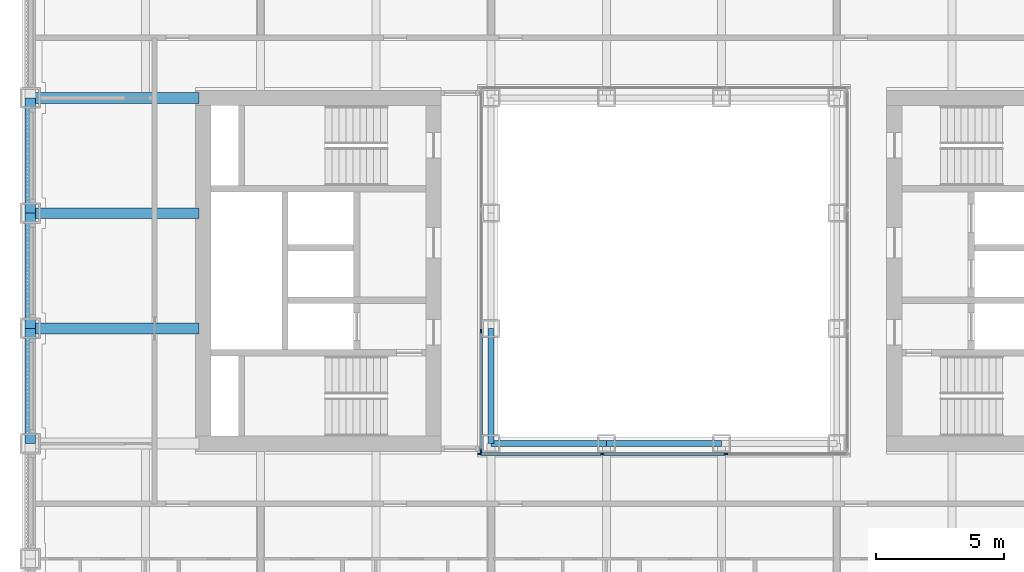
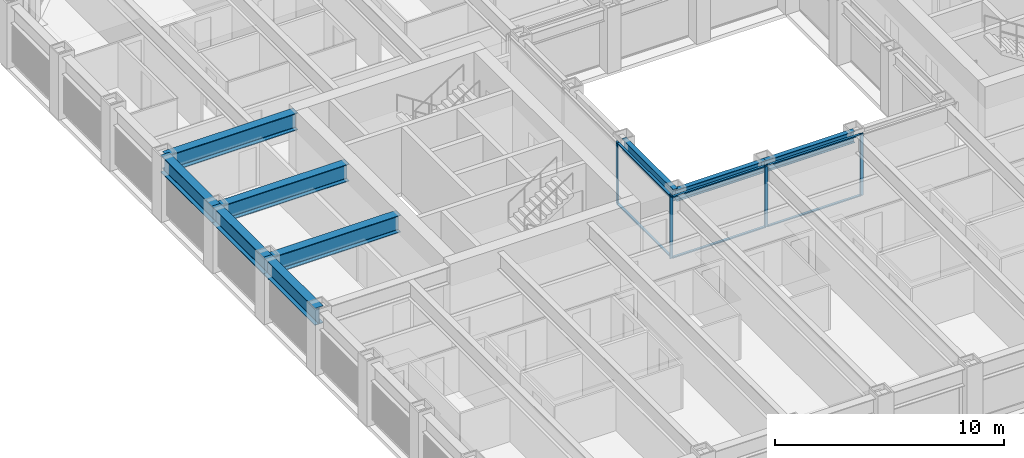
# One storey, part 3 of 21: 11 members, 9 beams, 2 elements without a shape of their own.
"""IFC4 building model written with IfcOpenShell, lengths in metres."""

import ifcopenshell
import ifcopenshell.guid

model = None  # the IFC model being written
_history = None  # IfcOwnerHistory: only IFC2X3 demands one
_inside = {}  # id of a spatial element -> (the spatial element, [elements in it])
_under = {}  # id of a project, library or spatial element -> (it, [spatial elements below it])
_declared = {}  # id of a project -> (the project, [libraries it declares])
_typed = {}  # id of a type object -> (the type object, [elements of that type])
_made_of = {}  # id of a material, layer set ... -> (it, [elements and type objects made of it])


def new_model(schema):
    """Start an empty IFC model of exactly this schema.

    Asked for "IFC4X3", IfcOpenShell would pick the latest addendum, in which some entities
    have other attributes; the version numbers below select the first issue.
    IFC2X3 requires an IfcOwnerHistory on every rooted entity: one is made here for all.
    """
    global model, _history
    if schema == "IFC4X3":
        model = ifcopenshell.file(schema_version=(4, 3, 0, 0))
    else:
        model = ifcopenshell.file(schema=schema)
    _inside.clear()
    _under.clear()
    _declared.clear()
    _typed.clear()
    _made_of.clear()
    _history = None
    if model.schema == "IFC2X3":
        org = make("IfcOrganization", Name="unknown")
        user = make(
            "IfcPersonAndOrganization",
            ThePerson=make("IfcPerson", FamilyName="unknown"),
            TheOrganization=org,
        )
        app = make(
            "IfcApplication",
            ApplicationDeveloper=org,
            Version="unknown",
            ApplicationFullName="unknown",
            ApplicationIdentifier="unknown",
        )
        _history = make(
            "IfcOwnerHistory",
            OwningUser=user,
            OwningApplication=app,
            ChangeAction="ADDED",
            CreationDate=0,
        )
    return model


def make(cls, **values):
    """One entity of the class cls with the attributes given. An attribute that is None is left unset."""
    return model.create_entity(
        cls, **{name: value for name, value in values.items() if value is not None}
    )


def rooted(cls, **values):
    """An entity with a GlobalId (a new one), such as an element, a storey or a relation."""
    return make(cls, GlobalId=ifcopenshell.guid.new(), OwnerHistory=_history, **values)


def si_unit(unit_type, name, prefix=None):
    """IfcSIUnit, for example si_unit("LENGTHUNIT", "METRE", prefix="MILLI")."""
    return make("IfcSIUnit", UnitType=unit_type, Prefix=prefix, Name=name)


def assignment(units):
    """IfcUnitAssignment: the units of a project."""
    return None if units is None else make("IfcUnitAssignment", Units=units)


def point(xyz):
    """IfcCartesianPoint."""
    return None if xyz is None else make("IfcCartesianPoint", Coordinates=xyz)


def direction(xyz):
    """IfcDirection."""
    return None if xyz is None else make("IfcDirection", DirectionRatios=xyz)


def frame(location, z_axis=None, x_axis=None):
    """IfcAxis2Placement3D, a coordinate frame: its origin and axes. An axis left out is left unset."""
    return make(
        "IfcAxis2Placement3D",
        Location=point(location),
        Axis=direction(z_axis),
        RefDirection=direction(x_axis),
    )


def frame_2d(location, x_axis=None):
    """IfcAxis2Placement2D, a coordinate frame in the plane: its origin and x axis."""
    return make(
        "IfcAxis2Placement2D", Location=point(location), RefDirection=direction(x_axis)
    )


def origin():
    """The frame at (0, 0, 0) with its axes left unset."""
    return frame((0.0, 0.0, 0.0))


def origin_2d():
    """The frame at (0, 0) in the plane with its x axis left unset."""
    return frame_2d((0.0, 0.0))


def place(relative_to, where):
    """IfcLocalPlacement: puts the frame where relative to a parent placement (None: the world)."""
    return make(
        "IfcLocalPlacement", PlacementRelTo=relative_to, RelativePlacement=where
    )


def context(
    kind, dimensions, precision=None, world=None, true_north=None, identifier=None
):
    """IfcGeometricRepresentationContext, for example the 3D "Model" context."""
    return make(
        "IfcGeometricRepresentationContext",
        ContextIdentifier=identifier,
        ContextType=kind,
        CoordinateSpaceDimension=dimensions,
        Precision=precision,
        WorldCoordinateSystem=world,
        TrueNorth=true_north,
    )


def subcontext(parent, identifier, kind, view, scale=None):
    """IfcGeometricRepresentationSubContext, for example "Body" below "Model"."""
    return make(
        "IfcGeometricRepresentationSubContext",
        ContextIdentifier=identifier,
        ContextType=kind,
        ParentContext=parent,
        TargetScale=scale,
        TargetView=view,
    )


def project(units=None, contexts=None):
    """IfcProject with its units and contexts."""
    return rooted(
        "IfcProject",
        Name="project",
        RepresentationContexts=contexts,
        UnitsInContext=assignment(units),
    )


def spatial(cls, under=None, at=None, **own):
    """A site, building, storey or space (cls), placed at a placement, below another one or the project."""
    s = rooted(cls, ObjectPlacement=at, **own)
    if under is not None:
        _under.setdefault(under.id(), (under, []))[1].append(s)
    return s


def profile(cls, at=None, kind="AREA", **sizes):
    """A parametric profile (cls). Its sizes go by their IFC names, for example OverallWidth=200.0."""
    return make(cls, ProfileType=kind, Position=at, **sizes)


def rectangle(**sizes):
    """IfcRectangleProfileDef."""
    return profile("IfcRectangleProfileDef", **sizes)


def i_section(**sizes):
    """IfcIShapeProfileDef."""
    return profile("IfcIShapeProfileDef", **sizes)


def extrude(swept, where, along, depth):
    """IfcExtrudedAreaSolid: the profile swept, set in the frame where, extruded along a direction by depth."""
    return make(
        "IfcExtrudedAreaSolid",
        SweptArea=swept,
        Position=where,
        ExtrudedDirection=direction(along),
        Depth=depth,
    )


def shape(context_of_items, identifier, shape_type, items):
    """IfcShapeRepresentation: the items that make up one representation, for example the "Body"."""
    return make(
        "IfcShapeRepresentation",
        ContextOfItems=context_of_items,
        RepresentationIdentifier=identifier,
        RepresentationType=shape_type,
        Items=items,
    )


def material(Name=None, Category=None):
    """IfcMaterial."""
    return make("IfcMaterial", Name=Name, Category=Category)


def material_profile(
    of_material, cross_section, Name=None, Category=None, Priority=None
):
    """IfcMaterialProfile: a cross section and its material."""
    return make(
        "IfcMaterialProfile",
        Name=Name,
        Material=of_material,
        Profile=cross_section,
        Priority=Priority,
        Category=Category,
    )


def profile_set(profiles, Name=None, composite=None):
    """IfcMaterialProfileSet."""
    return make(
        "IfcMaterialProfileSet",
        Name=Name,
        MaterialProfiles=profiles,
        CompositeProfile=composite,
    )


def made_of(thing, what):
    """Note that an element or type object is made of a material, layer set ...; save() writes the relation."""
    if what is not None:
        _made_of.setdefault(what.id(), (what, []))[1].append(thing)
    return thing


def type_object(cls, material=None, **own):
    """A type object (cls), such as IfcWallType, which elements share."""
    return made_of(rooted(cls, **own), material)


def element(
    cls,
    number,
    at=None,
    inside=None,
    cuts=None,
    type_object=None,
    material=None,
    context=None,
    identifier="Body",
    shape_type=None,
    held_by="IfcProductDefinitionShape",
    body=None,
    shapes=None,
    **own,
):
    """One element of the class cls, such as IfcWall. Its Tag is "e" and its number.

    at: its placement. inside: the storey or other place that contains it. cuts: it is an
    opening in that element (IfcRelVoidsElement). A single representation is given by context,
    identifier, shape_type and body (its items); several are given by shapes. held_by: the class
    of the entity that holds the representations. save() writes the other relations.
    """
    e = rooted(cls, Tag="e%d" % number, ObjectPlacement=at, **own)
    if body is not None:
        shapes = [shape(context, identifier, shape_type, body)]
    if shapes is not None:
        e.Representation = make(held_by, Representations=shapes)
    if inside is not None:
        _inside.setdefault(inside.id(), (inside, []))[1].append(e)
    if cuts is not None:
        rooted(
            "IfcRelVoidsElement", RelatingBuildingElement=cuts, RelatedOpeningElement=e
        )
    if type_object is not None:
        _typed.setdefault(type_object.id(), (type_object, []))[1].append(e)
    return made_of(e, material)


def aggregate(whole, parts):
    """IfcRelAggregates: a whole, such as a stair, and the parts it consists of."""
    return rooted("IfcRelAggregates", RelatingObject=whole, RelatedObjects=parts)


def save(model, path):
    """Write the relations noted so far, then the file.

    IfcRelAggregates (storeys below a building ...), IfcRelContainedInSpatialStructure (elements
    in a storey), IfcRelDefinesByType, IfcRelAssociatesMaterial and IfcRelDeclares: one each for
    every whole, place, type object, material and project.
    """
    for whole, parts in _under.values():
        aggregate(whole, parts)
    for where, things in _inside.values():
        rooted(
            "IfcRelContainedInSpatialStructure",
            RelatedElements=things,
            RelatingStructure=where,
        )
    for kind, things in _typed.values():
        rooted("IfcRelDefinesByType", RelatedObjects=things, RelatingType=kind)
    for what, things in _made_of.values():
        rooted("IfcRelAssociatesMaterial", RelatedObjects=things, RelatingMaterial=what)
    for by, libraries in _declared.values():
        rooted("IfcRelDeclares", RelatingContext=by, RelatedDefinitions=libraries)
    model.write(path)


model = new_model("IFC4")

# Units and contexts
model_context = context("Model", 3, precision=1e-05, world=origin(), true_north=direction((0.0, 1.0)))
body_context = subcontext(model_context, "Body", "Model", "MODEL_VIEW")
ifc_project = project(units=[si_unit("LENGTHUNIT", "METRE"), si_unit("AREAUNIT", "SQUARE_METRE"), si_unit("VOLUMEUNIT", "CUBIC_METRE"), si_unit("PLANEANGLEUNIT", "RADIAN"), si_unit("MASSUNIT", "GRAM", prefix="KILO")], contexts=[model_context])

# Site, building, storey
site_placement = place(None, origin())
site = spatial("IfcSite", under=ifc_project, at=site_placement, CompositionType="ELEMENT")
building_placement = place(site_placement, origin())
building = spatial("IfcBuilding", under=site, at=building_placement, Name="Msasa Ring Tower", CompositionType="ELEMENT")
storey_placement = place(building_placement, frame((0.0, 0.0, 54.5)))
storey = spatial("IfcBuildingStorey", under=building, at=storey_placement, Name="L13", CompositionType="ELEMENT", Elevation=54.5)

# Curtain wall, members
ifc_material_1 = material(Name="Aluminium curtain wall with clear glass", Category="aluminium")
curtain_wall_type = type_object("IfcCurtainWallType", Name="CW-W LIGHT WELL CURTAIN WALL", PredefinedType="NOTDEFINED", material=ifc_material_1)
curtain_wall_1_placement = place(storey_placement, origin())
curtain_wall_1 = element("IfcCurtainWall", 1, at=curtain_wall_1_placement, inside=storey, type_object=curtain_wall_type, Name="Light well curtain wall S L13", PredefinedType="NOTDEFINED")
ifc_material_2 = material(Name="Aluminium mullion", Category="aluminium")
ifc_material_profile_1 = material_profile(ifc_material_2, rectangle(XDim=0.06005859375, YDim=0.159912109375, at=origin_2d()), Name="AL 60x160")
ifc_profile_set_1 = profile_set([ifc_material_profile_1], Name="Aluminium mullion")
member_type_1 = type_object("IfcMemberType", Name="CW-W MULLION 60x160", PredefinedType="MULLION", material=ifc_profile_set_1)
member_1_placement = place(storey_placement, frame((-7.199951171875, -7.14990234375, 0.0), z_axis=(0.0, 0.0, 1.0), x_axis=(0.0, 1.0, 0.0)))
member_1 = element("IfcMember", 2, at=member_1_placement, type_object=member_type_1, Name="CW-W mullion 1", PredefinedType="MULLION", context=body_context, shape_type="SweptSolid", body=[
    extrude(rectangle(XDim=0.06005859375, YDim=0.159912109375, at=origin_2d()), origin(), (0.0, 0.0, 1.0), 3.300048828125),
])
member_2_placement = place(storey_placement, frame((-2.409912109375, -7.14990234375, 0.0), z_axis=(0.0, 0.0, 1.0), x_axis=(0.0, 1.0, 0.0)))
member_2 = element("IfcMember", 3, at=member_2_placement, type_object=member_type_1, Name="CW-W mullion 2", PredefinedType="MULLION", context=body_context, shape_type="SweptSolid", body=[
    extrude(rectangle(XDim=0.06005859375, YDim=0.159912109375, at=origin_2d()), origin(), (0.0, 0.0, 1.0), 3.300048828125),
])
member_3_placement = place(storey_placement, frame((2.409912109375, -7.14990234375, 0.0), z_axis=(0.0, 0.0, 1.0), x_axis=(0.0, 1.0, 0.0)))
member_3 = element("IfcMember", 4, at=member_3_placement, type_object=member_type_1, Name="CW-W mullion 3", PredefinedType="MULLION", context=body_context, shape_type="SweptSolid", body=[
    extrude(rectangle(XDim=0.06005859375, YDim=0.159912109375, at=origin_2d()), origin(), (0.0, 0.0, 1.0), 3.300048828125),
])

curtain_wall_2_placement = place(storey_placement, origin())
curtain_wall_2 = element("IfcCurtainWall", 5, at=curtain_wall_2_placement, inside=storey, type_object=curtain_wall_type, Name="Light well curtain wall W L13", PredefinedType="NOTDEFINED")
member_4_placement = place(storey_placement, frame((-7.14990234375, -7.0400390625, 0.0), z_axis=(0.0, 0.0, 1.0), x_axis=(-1.0, 0.0, 0.0)))
member_4 = element("IfcMember", 6, at=member_4_placement, type_object=member_type_1, Name="CW-W mullion 1", PredefinedType="MULLION", context=body_context, shape_type="SweptSolid", body=[
    extrude(rectangle(XDim=0.06005859375, YDim=0.159912109375, at=origin_2d()), origin(), (0.0, 0.0, 1.0), 3.300048828125),
])
member_5_placement = place(storey_placement, frame((-7.14990234375, -2.356689453125, 0.0), z_axis=(0.0, 0.0, 1.0), x_axis=(-1.0, 0.0, 0.0)))
member_5 = element("IfcMember", 7, at=member_5_placement, type_object=member_type_1, Name="CW-W mullion 2", PredefinedType="MULLION", context=body_context, shape_type="SweptSolid", body=[
    extrude(rectangle(XDim=0.06005859375, YDim=0.159912109375, at=origin_2d()), origin(), (0.0, 0.0, 1.0), 3.300048828125),
])

# Member
ifc_material_3 = material(Name="Aluminium transom", Category="aluminium")
ifc_material_profile_2 = material_profile(ifc_material_3, rectangle(XDim=0.1201171875, YDim=0.06005859375, at=origin_2d()), Name="AL 60x120")
ifc_profile_set_2 = profile_set([ifc_material_profile_2], Name="Aluminium transom")
member_type_2 = type_object("IfcMemberType", Name="CW-W TRANSOM 60x120", PredefinedType="USERDEFINED", material=ifc_profile_set_2)
member_6_placement = place(storey_placement, frame((-7.169921875, -7.14990234375, 0.030029296875), z_axis=(1.0, 0.0, 0.0), x_axis=(0.0, 1.0, 0.0)))
member_6 = element("IfcMember", 8, at=member_6_placement, type_object=member_type_2, Name="CW-W transom 1.1", ObjectType="TRANSOM", PredefinedType="USERDEFINED", context=body_context, shape_type="SweptSolid", body=[
    extrude(rectangle(XDim=0.1201171875, YDim=0.06005859375, at=origin_2d()), origin(), (0.0, 0.0, 1.0), 4.72998046875),
])

member_7_placement = place(storey_placement, frame((-7.169921875, -7.14990234375, 3.27001953125), z_axis=(1.0, 0.0, 0.0), x_axis=(0.0, 1.0, 0.0)))
member_7 = element("IfcMember", 9, at=member_7_placement, type_object=member_type_2, Name="CW-W transom 1.2", ObjectType="TRANSOM", PredefinedType="USERDEFINED", context=body_context, shape_type="SweptSolid", body=[
    extrude(rectangle(XDim=0.1201171875, YDim=0.06005859375, at=origin_2d()), origin(), (0.0, 0.0, 1.0), 4.72998046875),
])

member_8_placement = place(storey_placement, frame((-2.3798828125, -7.14990234375, 0.030029296875), z_axis=(1.0, 0.0, 0.0), x_axis=(0.0, 1.0, 0.0)))
member_8 = element("IfcMember", 10, at=member_8_placement, type_object=member_type_2, Name="CW-W transom 2.1", ObjectType="TRANSOM", PredefinedType="USERDEFINED", context=body_context, shape_type="SweptSolid", body=[
    extrude(rectangle(XDim=0.1201171875, YDim=0.06005859375, at=origin_2d()), origin(), (0.0, 0.0, 1.0), 4.759765625),
])

member_9_placement = place(storey_placement, frame((-2.3798828125, -7.14990234375, 3.27001953125), z_axis=(1.0, 0.0, 0.0), x_axis=(0.0, 1.0, 0.0)))
member_9 = element("IfcMember", 11, at=member_9_placement, type_object=member_type_2, Name="CW-W transom 2.2", ObjectType="TRANSOM", PredefinedType="USERDEFINED", context=body_context, shape_type="SweptSolid", body=[
    extrude(rectangle(XDim=0.1201171875, YDim=0.06005859375, at=origin_2d()), origin(), (0.0, 0.0, 1.0), 4.759765625),
])

aggregate(curtain_wall_1, [member_1, member_2, member_3, member_6, member_7, member_8, member_9])

member_10_placement = place(storey_placement, frame((-7.14990234375, -7.010009765625, 0.030029296875), z_axis=(0.0, 1.0, 0.0), x_axis=(-1.0, 0.0, 0.0)))
member_10 = element("IfcMember", 12, at=member_10_placement, type_object=member_type_2, Name="CW-W transom 1.1", ObjectType="TRANSOM", PredefinedType="USERDEFINED", context=body_context, shape_type="SweptSolid", body=[
    extrude(rectangle(XDim=0.1201171875, YDim=0.06005859375, at=origin_2d()), origin(), (0.0, 0.0, 1.0), 4.623291015625),
])

member_11_placement = place(storey_placement, frame((-7.14990234375, -7.010009765625, 3.27001953125), z_axis=(0.0, 1.0, 0.0), x_axis=(-1.0, 0.0, 0.0)))
member_11 = element("IfcMember", 13, at=member_11_placement, type_object=member_type_2, Name="CW-W transom 1.2", ObjectType="TRANSOM", PredefinedType="USERDEFINED", context=body_context, shape_type="SweptSolid", body=[
    extrude(rectangle(XDim=0.1201171875, YDim=0.06005859375, at=origin_2d()), origin(), (0.0, 0.0, 1.0), 4.623291015625),
])

aggregate(curtain_wall_2, [member_4, member_5, member_10, member_11])

# Beams
ifc_material_4 = material(Name="Steel S355", Category="steel")
ifc_material_profile_3 = material_profile(ifc_material_4, i_section(OverallWidth=0.42041015625, OverallDepth=0.9208984375, WebThickness=0.021484375, FlangeThickness=0.03662109375, FilletRadius=0.024169921875, at=origin_2d()), Name="UB 914x419x388")
ifc_profile_set_3 = profile_set([ifc_material_profile_3], Name="Steel S355")
beam_type_1 = type_object("IfcBeamType", Name="FB2 UB 914x419x388", PredefinedType="BEAM", material=ifc_profile_set_3)
for number, where, z_axis, x_axis, name in (
    (14, (-24.75, -2.25, 2.839599609375), (1.0, 0.0, 0.0), (0.0, 1.0, 0.0), "Floor beam W -2.25 under L14"),
    (15, (-24.75, 2.25, 2.839599609375), (1.0, 0.0, 0.0), (0.0, 1.0, 0.0), "Floor beam W +2.25 under L14"),
):
    element("IfcBeam", number, at=place(storey_placement, frame(where, z_axis=z_axis, x_axis=x_axis)), inside=storey, type_object=beam_type_1, Name=name, PredefinedType="BEAM", context=body_context, shape_type="SweptSolid", body=[
        extrude(i_section(OverallWidth=0.42041015625, OverallDepth=0.9208984375, WebThickness=0.021484375, FlangeThickness=0.03662109375, FilletRadius=0.024169921875, at=origin_2d()), origin(), (0.0, 0.0, 1.0), 6.60009765625),
    ])
ifc_material_5 = material(Name="Steel S355", Category="steel")
ifc_material_profile_4 = material_profile(ifc_material_5, i_section(OverallWidth=0.42041015625, OverallDepth=0.9208984375, WebThickness=0.021484375, FlangeThickness=0.03662109375, FilletRadius=0.024169921875, at=origin_2d()), Name="UB 914x419x388")
ifc_profile_set_4 = profile_set([ifc_material_profile_4], Name="Steel S355")
beam_type_2 = type_object("IfcBeamType", Name="GB1 UB 914x419x388", PredefinedType="BEAM", material=ifc_profile_set_4)
beam_placement = place(storey_placement, frame((-18.14990234375, 6.75, 2.839599609375), z_axis=(-1.0, 0.0, 0.0), x_axis=(0.0, -1.0, 0.0)))
element("IfcBeam", 16, at=beam_placement, inside=storey, type_object=beam_type_2, Name="Girder W +6.75 under L14", PredefinedType="BEAM", context=body_context, shape_type="SweptSolid", body=[
    extrude(i_section(OverallWidth=0.42041015625, OverallDepth=0.9208984375, WebThickness=0.021484375, FlangeThickness=0.03662109375, FilletRadius=0.024169921875, at=origin_2d()), origin(), (0.0, 0.0, 1.0), 6.60009765625),
])
ifc_material_6 = material(Name="Steel S355", Category="steel")
ifc_material_profile_5 = material_profile(ifc_material_6, i_section(OverallWidth=0.230224609375, OverallDepth=0.6171875, WebThickness=0.01318359375, FlangeThickness=0.022216796875, FilletRadius=0.0126953125, at=origin_2d()), Name="UB 610x229x140")
ifc_profile_set_5 = profile_set([ifc_material_profile_5], Name="Steel S355")
beam_type_3 = type_object("IfcBeamType", Name="RB1 UB 610x229x140", PredefinedType="BEAM", material=ifc_profile_set_5)
for number, where, z_axis, x_axis, name in (
    (17, (-6.75, -2.25, 2.991455078125), (0.0, -1.0, 0.0), (1.0, 0.0, 0.0), "Inner ring beam IR-6.75-2.25 under L14"),
    (18, (-6.75, -6.75, 2.991455078125), (1.0, 0.0, 0.0), (0.0, 1.0, 0.0), "Inner ring beam IR-6.75-6.75 under L14"),
    (19, (-2.25, -6.75, 2.991455078125), (1.0, 0.0, 0.0), (0.0, 1.0, 0.0), "Inner ring beam IR-2.25-6.75 under L14"),
):
    element("IfcBeam", number, at=place(storey_placement, frame(where, z_axis=z_axis, x_axis=x_axis)), inside=storey, type_object=beam_type_3, Name=name, PredefinedType="BEAM", context=body_context, shape_type="SweptSolid", body=[
        extrude(i_section(OverallWidth=0.230224609375, OverallDepth=0.6171875, WebThickness=0.01318359375, FlangeThickness=0.022216796875, FilletRadius=0.0126953125, at=origin_2d()), origin(), (0.0, 0.0, 1.0), 4.5),
    ])
ifc_material_7 = material(Name="Steel S355", Category="steel")
ifc_material_profile_6 = material_profile(ifc_material_7, i_section(OverallWidth=0.42041015625, OverallDepth=0.9208984375, WebThickness=0.021484375, FlangeThickness=0.03662109375, FilletRadius=0.024169921875, at=origin_2d()), Name="UB 914x419x388")
ifc_profile_set_6 = profile_set([ifc_material_profile_6], Name="Steel S355")
beam_type_4 = type_object("IfcBeamType", Name="SB1 UB 914x419x388", PredefinedType="SPANDREL", material=ifc_profile_set_6)
for number, where, z_axis, x_axis, name in (
    (20, (-24.75, -2.25, 2.839599609375), (0.0, -1.0, 0.0), (1.0, 0.0, 0.0), "Spandrel W-2.25 to W-6.75 under L14"),
    (21, (-24.75, 6.75, 2.839599609375), (0.0, -1.0, 0.0), (1.0, 0.0, 0.0), "Spandrel W+6.75 to W+2.25 under L14"),
    (22, (-24.75, 2.25, 2.839599609375), (0.0, -1.0, 0.0), (1.0, 0.0, 0.0), "Spandrel W+2.25 to W-2.25 under L14"),
):
    element("IfcBeam", number, at=place(storey_placement, frame(where, z_axis=z_axis, x_axis=x_axis)), inside=storey, type_object=beam_type_4, Name=name, PredefinedType="SPANDREL", context=body_context, shape_type="SweptSolid", body=[
        extrude(i_section(OverallWidth=0.42041015625, OverallDepth=0.9208984375, WebThickness=0.021484375, FlangeThickness=0.03662109375, FilletRadius=0.024169921875, at=origin_2d()), origin(), (0.0, 0.0, 1.0), 4.5),
    ])

save(model, "model.ifc")
